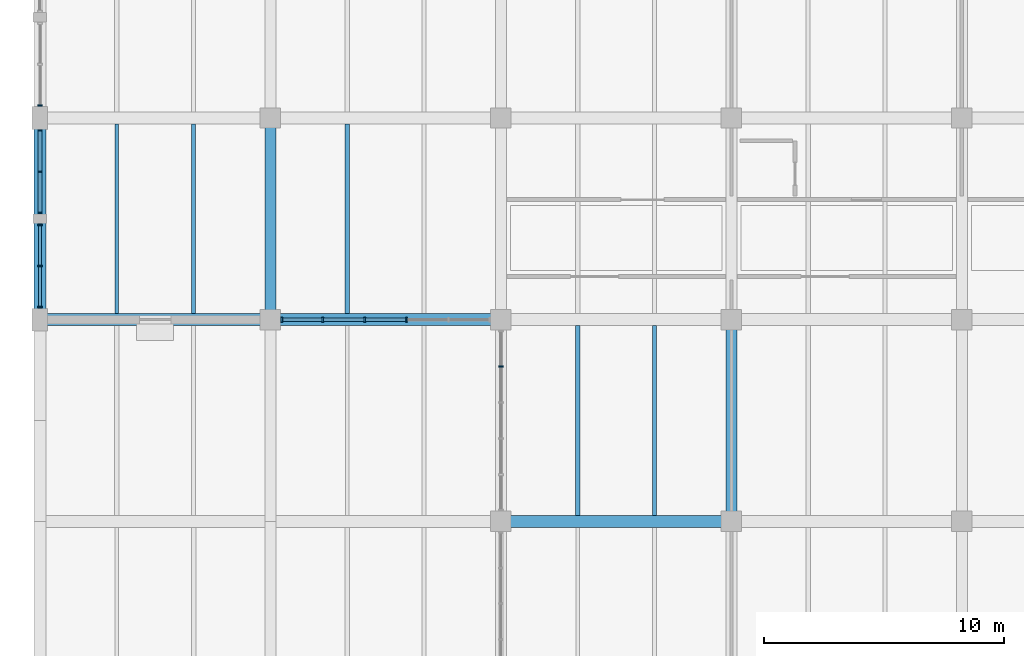
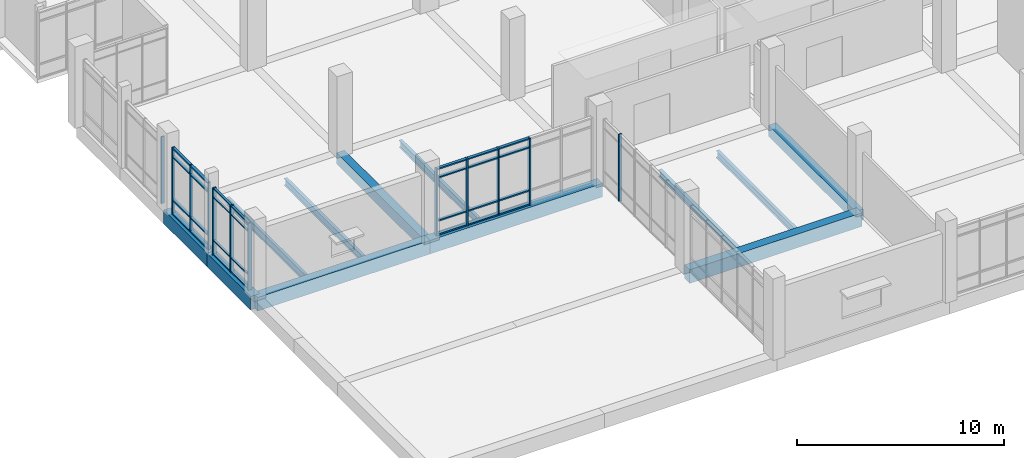
# One storey, part 9 of 152: 40 members, 12 beams, 5 elements without a shape of their own.
"""IFC4 building model written with IfcOpenShell, lengths in metres."""

from ifc_helpers import new_model, si_unit, direction, frame, origin, origin_2d, place, context, subcontext, project, spatial, rectangle, i_section, extrude, material, material_profile, profile_set, type_object, element, aggregate, save


model = new_model("IFC4")

# Units and contexts
model_context = context("Model", 3, precision=1e-05, world=origin(), true_north=direction((0.0, 1.0)))
body_context = subcontext(model_context, "Body", "Model", "MODEL_VIEW")
ifc_project = project(units=[si_unit("LENGTHUNIT", "METRE"), si_unit("AREAUNIT", "SQUARE_METRE"), si_unit("VOLUMEUNIT", "CUBIC_METRE"), si_unit("PLANEANGLEUNIT", "RADIAN"), si_unit("MASSUNIT", "GRAM", prefix="KILO")], contexts=[model_context])

# Site, building, storey
site_placement = place(None, origin())
site = spatial("IfcSite", under=ifc_project, at=site_placement, CompositionType="ELEMENT")
building_placement = place(site_placement, origin())
building = spatial("IfcBuilding", under=site, at=building_placement, Name="Oolite Switchyard Hospital", CompositionType="ELEMENT")
storey_placement = place(building_placement, frame((0.0, 0.0, 5.10009765625)))
storey = spatial("IfcBuildingStorey", under=building, at=storey_placement, Name="L01", CompositionType="ELEMENT", Elevation=5.10009765625)

# Beams
ifc_material_1 = material(Name="Concrete C40/50", Category="concrete")
ifc_material_profile_1 = material_profile(ifc_material_1, rectangle(XDim=0.449951171875, YDim=0.64990234375, at=origin_2d()), Name="RCB450X650")
ifc_profile_set_1 = profile_set([ifc_material_profile_1], Name="Concrete C40/50")
beam_type_1 = type_object("IfcBeamType", Name="BM-RC450X650", PredefinedType="BEAM", material=ifc_profile_set_1)
beam_1_placement = place(storey_placement, frame((9.60009765625, 16.800048828125, -0.3251953125), z_axis=(0.0, 1.0, 0.0), x_axis=(-1.0, 0.0, 0.0)))
element("IfcBeam", 1, at=beam_1_placement, inside=storey, type_object=beam_type_1, Name="L01 Y-Girder 304", PredefinedType="BEAM", context=body_context, shape_type="SweptSolid", body=[
    extrude(rectangle(XDim=0.449951171875, YDim=0.64990234375, at=origin_2d()), origin(), (0.0, 0.0, 1.0), 8.39990234375),
])
beam_2_placement = place(storey_placement, frame((28.800048828125, 8.39990234375, -0.3251953125), z_axis=(0.0, 1.0, 0.0), x_axis=(-1.0, 0.0, 0.0)))
element("IfcBeam", 2, at=beam_2_placement, inside=storey, type_object=beam_type_1, Name="L01 Y-Girder 335", PredefinedType="BEAM", context=body_context, shape_type="SweptSolid", body=[
    extrude(rectangle(XDim=0.449951171875, YDim=0.64990234375, at=origin_2d()), origin(), (0.0, 0.0, 1.0), 8.400146484375),
])
ifc_material_profile_2 = material_profile(ifc_material_1, rectangle(XDim=0.5, YDim=0.800048828125, at=origin_2d()), Name="RCB500X800")
ifc_profile_set_2 = profile_set([ifc_material_profile_2], Name="Concrete C40/50")
beam_type_2 = type_object("IfcBeamType", Name="BM-RC500X800", PredefinedType="BEAM", material=ifc_profile_set_2)
for number, where, z_axis, x_axis, name in (
    (3, (19.199951171875, 8.39990234375, -0.400146484375), (1.0, 0.0, 0.0), (0.0, 1.0, 0.0), "L01 X-Girder 10"),
    (4, (0.0, 16.800048828125, -0.400146484375), (1.0, 0.0, 0.0), (0.0, 1.0, 0.0), "L01 X-Girder 26"),
):
    element("IfcBeam", number, at=place(storey_placement, frame(where, z_axis=z_axis, x_axis=x_axis)), inside=storey, type_object=beam_type_2, Name=name, PredefinedType="BEAM", context=body_context, shape_type="SweptSolid", body=[
        extrude(rectangle(XDim=0.5, YDim=0.800048828125, at=origin_2d()), origin(), (0.0, 0.0, 1.0), 9.60009765625),
    ])
beam_3_placement = place(storey_placement, frame((9.60009765625, 16.800048828125, -0.400146484375), z_axis=(1.0, 0.0, 0.0), x_axis=(0.0, 1.0, 0.0)))
element("IfcBeam", 5, at=beam_3_placement, inside=storey, type_object=beam_type_2, Name="L01 X-Girder 27", PredefinedType="BEAM", context=body_context, shape_type="SweptSolid", body=[
    extrude(rectangle(XDim=0.5, YDim=0.800048828125, at=origin_2d()), origin(), (0.0, 0.0, 1.0), 9.599853515625),
])
for number, where, z_axis, x_axis, name in (
    (6, (0.0, 16.800048828125, -0.400146484375), (0.0, 1.0, 0.0), (-1.0, 0.0, 0.0), "L01 Y-Girder 288"),
    (7, (0.0, 21.0, -0.400146484375), (0.0, 1.0, 0.0), (-1.0, 0.0, 0.0), "L01 Y-Girder 289"),
):
    element("IfcBeam", number, at=place(storey_placement, frame(where, z_axis=z_axis, x_axis=x_axis)), inside=storey, type_object=beam_type_2, Name=name, PredefinedType="BEAM", context=body_context, shape_type="SweptSolid", body=[
        extrude(rectangle(XDim=0.5, YDim=0.800048828125, at=origin_2d()), origin(), (0.0, 0.0, 1.0), 4.199951171875),
    ])
ifc_material_2 = material(Name="Steel ASTM A992 Grade 50", Category="steel")
ifc_material_profile_3 = material_profile(ifc_material_2, i_section(OverallWidth=0.177978515625, OverallDepth=0.403076171875, WebThickness=0.008056640625, FlangeThickness=0.010986328125, at=origin_2d()), Name="W16X36")
ifc_profile_set_3 = profile_set([ifc_material_profile_3], Name="Steel ASTM A992 Grade 50")
beam_type_3 = type_object("IfcBeamType", Name="BM-W16X36", PredefinedType="JOIST", material=ifc_profile_set_3)
beam_4_placement = place(storey_placement, frame((25.60009765625, 8.64990234375, -0.47705078125), z_axis=(0.0, 1.0, 0.0), x_axis=(-1.0, 0.0, 0.0)))
element("IfcBeam", 8, at=beam_4_placement, inside=storey, type_object=beam_type_3, Name="L01 Secondary Steel Joist 625", PredefinedType="JOIST", context=body_context, shape_type="SweptSolid", body=[
    extrude(i_section(OverallWidth=0.177978515625, OverallDepth=0.403076171875, WebThickness=0.008056640625, FlangeThickness=0.010986328125, at=origin_2d()), origin(), (0.0, 0.0, 1.0), 7.900146484375),
])
ifc_material_profile_4 = material_profile(ifc_material_2, i_section(OverallWidth=0.179931640625, OverallDepth=0.4130859375, WebThickness=0.010009765625, FlangeThickness=0.01611328125, at=origin_2d()), Name="W16X50")
ifc_profile_set_4 = profile_set([ifc_material_profile_4], Name="Steel ASTM A992 Grade 50")
beam_type_4 = type_object("IfcBeamType", Name="BM-W16X50", PredefinedType="JOIST", material=ifc_profile_set_4)
for number, where, z_axis, x_axis, name in (
    (9, (6.39990234375, 17.050048828125, -0.482177734375), (0.0, 1.0, 0.0), (-1.0, 0.0, 0.0), "L01 Secondary Steel Joist 567"),
    (10, (12.800048828125, 17.050048828125, -0.482177734375), (0.0, 1.0, 0.0), (-1.0, 0.0, 0.0), "L01 Secondary Steel Joist 594"),
):
    element("IfcBeam", number, at=place(storey_placement, frame(where, z_axis=z_axis, x_axis=x_axis)), inside=storey, type_object=beam_type_4, Name=name, PredefinedType="JOIST", context=body_context, shape_type="SweptSolid", body=[
        extrude(i_section(OverallWidth=0.179931640625, OverallDepth=0.4130859375, WebThickness=0.010009765625, FlangeThickness=0.01611328125, at=origin_2d()), origin(), (0.0, 0.0, 1.0), 7.89990234375),
    ])
beam_5_placement = place(storey_placement, frame((22.39990234375, 8.64990234375, -0.482177734375), z_axis=(0.0, 1.0, 0.0), x_axis=(-1.0, 0.0, 0.0)))
element("IfcBeam", 11, at=beam_5_placement, inside=storey, type_object=beam_type_4, Name="L01 Secondary Steel Joist 624", PredefinedType="JOIST", context=body_context, shape_type="SweptSolid", body=[
    extrude(i_section(OverallWidth=0.179931640625, OverallDepth=0.4130859375, WebThickness=0.010009765625, FlangeThickness=0.01611328125, at=origin_2d()), origin(), (0.0, 0.0, 1.0), 7.900146484375),
])
ifc_material_profile_5 = material_profile(ifc_material_2, i_section(OverallWidth=0.153076171875, OverallDepth=0.455078125, WebThickness=0.008056640625, FlangeThickness=0.012939453125, at=origin_2d()), Name="W18X40")
ifc_profile_set_5 = profile_set([ifc_material_profile_5], Name="Steel ASTM A992 Grade 50")
beam_type_5 = type_object("IfcBeamType", Name="BM-W18X40", PredefinedType="JOIST", material=ifc_profile_set_5)
beam_6_placement = place(storey_placement, frame((3.199951171875, 17.050048828125, -0.503173828125), z_axis=(0.0, 1.0, 0.0), x_axis=(-1.0, 0.0, 0.0)))
element("IfcBeam", 12, at=beam_6_placement, inside=storey, type_object=beam_type_5, Name="L01 Secondary Steel Joist 566", PredefinedType="JOIST", context=body_context, shape_type="SweptSolid", body=[
    extrude(i_section(OverallWidth=0.153076171875, OverallDepth=0.455078125, WebThickness=0.008056640625, FlangeThickness=0.012939453125, at=origin_2d()), origin(), (0.0, 0.0, 1.0), 7.89990234375),
])

# Curtain wall, members
ifc_material_3 = material(Name="Thermally broken aluminum frame with laminated impact glazing", Category="aluminium")
curtain_wall_type_1 = type_object("IfcCurtainWallType", Name="CW-UNIT-84X48", PredefinedType="USERDEFINED", material=ifc_material_3)
curtain_wall_1_placement = place(storey_placement, origin())
curtain_wall_1 = element("IfcCurtainWall", 13, at=curtain_wall_1_placement, inside=storey, type_object=curtain_wall_type_1, Name="L01 Unitised Curtain Wall 161", ObjectType="UNITISED", PredefinedType="USERDEFINED")
ifc_material_4 = material(Name="Aluminium 6063-T6", Category="aluminium")
ifc_material_profile_6 = material_profile(ifc_material_4, rectangle(XDim=0.159912109375, YDim=0.06005859375, at=origin_2d()), Name="CWM60X160")
ifc_profile_set_6 = profile_set([ifc_material_profile_6], Name="Aluminium 6063-T6")
member_type_1 = type_object("IfcMemberType", Name="CW-MUL-180", PredefinedType="MULLION", material=ifc_profile_set_6)
member_1_placement = place(storey_placement, frame((0.0, 21.2451171875, 0.0), z_axis=(0.0, 0.0, 1.0), x_axis=(-1.0, 0.0, 0.0)))
member_1 = element("IfcMember", 14, at=member_1_placement, type_object=member_type_1, Name="CW-07 mullion 1", PredefinedType="MULLION", context=body_context, shape_type="SweptSolid", body=[
    extrude(rectangle(XDim=0.159912109375, YDim=0.06005859375, at=origin_2d()), origin(), (0.0, 0.0, 1.0), 3.93994140625),
])
member_2_placement = place(storey_placement, frame((0.0, 22.96240234375, 0.0), z_axis=(0.0, 0.0, 1.0), x_axis=(-1.0, 0.0, 0.0)))
member_2 = element("IfcMember", 15, at=member_2_placement, type_object=member_type_1, Name="CW-07 mullion 2", PredefinedType="MULLION", context=body_context, shape_type="SweptSolid", body=[
    extrude(rectangle(XDim=0.159912109375, YDim=0.06005859375, at=origin_2d()), origin(), (0.0, 0.0, 1.0), 3.93994140625),
])
member_3_placement = place(storey_placement, frame((0.0, 24.679931640625, 0.0), z_axis=(0.0, 0.0, 1.0), x_axis=(-1.0, 0.0, 0.0)))
member_3 = element("IfcMember", 16, at=member_3_placement, type_object=member_type_1, Name="CW-07 mullion 3", PredefinedType="MULLION", context=body_context, shape_type="SweptSolid", body=[
    extrude(rectangle(XDim=0.159912109375, YDim=0.06005859375, at=origin_2d()), origin(), (0.0, 0.0, 1.0), 3.93994140625),
])

# Curtain wall, member
curtain_wall_2_placement = place(storey_placement, origin())
curtain_wall_2 = element("IfcCurtainWall", 17, at=curtain_wall_2_placement, inside=storey, type_object=curtain_wall_type_1, Name="L01 Unitised Curtain Wall 162", ObjectType="UNITISED", PredefinedType="USERDEFINED")
ifc_material_profile_7 = material_profile(ifc_material_4, rectangle(XDim=0.179931640625, YDim=0.070068359375, at=origin_2d()), Name="CWM70X180")
ifc_profile_set_7 = profile_set([ifc_material_profile_7], Name="Aluminium 6063-T6")
member_type_2 = type_object("IfcMemberType", Name="CW-MUL-220", PredefinedType="MULLION", material=ifc_profile_set_7)
member_4_placement = place(storey_placement, frame((0.0, 25.72509765625, 0.0), z_axis=(0.0, 0.0, 1.0), x_axis=(-1.0, 0.0, 0.0)))
member_4 = element("IfcMember", 18, at=member_4_placement, type_object=member_type_2, Name="CW-07 mullion 1", PredefinedType="MULLION", context=body_context, shape_type="SweptSolid", body=[
    extrude(rectangle(XDim=0.179931640625, YDim=0.070068359375, at=origin_2d()), origin(), (0.0, 0.0, 1.0), 3.93994140625),
])
aggregate(curtain_wall_2, [member_4])

curtain_wall_3_placement = place(storey_placement, origin())
curtain_wall_3 = element("IfcCurtainWall", 19, at=curtain_wall_3_placement, inside=storey, type_object=curtain_wall_type_1, Name="L01 Unitised Curtain Wall 168", ObjectType="UNITISED", PredefinedType="USERDEFINED")
member_5_placement = place(storey_placement, frame((19.199951171875, 14.85595703125, 0.0), z_axis=(0.0, 0.0, 1.0), x_axis=(-1.0, 0.0, 0.0)))
member_5 = element("IfcMember", 20, at=member_5_placement, type_object=member_type_2, Name="CW-07 mullion 5", PredefinedType="MULLION", context=body_context, shape_type="SweptSolid", body=[
    extrude(rectangle(XDim=0.179931640625, YDim=0.070068359375, at=origin_2d()), origin(), (0.0, 0.0, 1.0), 3.93994140625),
])
aggregate(curtain_wall_3, [member_5])

# Curtain wall, members
curtain_wall_type_2 = type_object("IfcCurtainWallType", Name="CW-UNIT-96X48", PredefinedType="USERDEFINED", material=ifc_material_3)
curtain_wall_4_placement = place(storey_placement, origin())
curtain_wall_4 = element("IfcCurtainWall", 21, at=curtain_wall_4_placement, inside=storey, type_object=curtain_wall_type_2, Name="L01 Unitised Curtain Wall 103", ObjectType="UNITISED", PredefinedType="USERDEFINED")
ifc_material_profile_8 = material_profile(ifc_material_4, rectangle(XDim=0.199951171875, YDim=0.074951171875, at=origin_2d()), Name="CWM75X200")
ifc_profile_set_8 = profile_set([ifc_material_profile_8], Name="Aluminium 6063-T6")
member_type_3 = type_object("IfcMemberType", Name="CW-MUL-260", PredefinedType="MULLION", material=ifc_profile_set_8)
member_6_placement = place(storey_placement, frame((15.27197265625, 16.800048828125, 0.0), z_axis=(0.0, 0.0, 1.0), x_axis=(0.0, -1.0, 0.0)))
member_6 = element("IfcMember", 22, at=member_6_placement, type_object=member_type_3, Name="CW-02 mullion 3", PredefinedType="MULLION", context=body_context, shape_type="SweptSolid", body=[
    extrude(rectangle(XDim=0.199951171875, YDim=0.074951171875, at=origin_2d()), origin(), (0.0, 0.0, 1.0), 3.93994140625),
])
member_7_placement = place(storey_placement, frame((13.528076171875, 16.800048828125, 0.0), z_axis=(0.0, 0.0, 1.0), x_axis=(0.0, -1.0, 0.0)))
member_7 = element("IfcMember", 23, at=member_7_placement, type_object=member_type_3, Name="CW-02 mullion 4", PredefinedType="MULLION", context=body_context, shape_type="SweptSolid", body=[
    extrude(rectangle(XDim=0.199951171875, YDim=0.074951171875, at=origin_2d()), origin(), (0.0, 0.0, 1.0), 3.93994140625),
])
member_8_placement = place(storey_placement, frame((11.783935546875, 16.800048828125, 0.0), z_axis=(0.0, 0.0, 1.0), x_axis=(0.0, -1.0, 0.0)))
member_8 = element("IfcMember", 24, at=member_8_placement, type_object=member_type_3, Name="CW-02 mullion 5", PredefinedType="MULLION", context=body_context, shape_type="SweptSolid", body=[
    extrude(rectangle(XDim=0.199951171875, YDim=0.074951171875, at=origin_2d()), origin(), (0.0, 0.0, 1.0), 3.93994140625),
])
member_9_placement = place(storey_placement, frame((10.077392578125, 16.800048828125, 0.0), z_axis=(0.0, 0.0, 1.0), x_axis=(0.0, -1.0, 0.0)))
member_9 = element("IfcMember", 25, at=member_9_placement, type_object=member_type_3, Name="CW-02 mullion 6", PredefinedType="MULLION", context=body_context, shape_type="SweptSolid", body=[
    extrude(rectangle(XDim=0.199951171875, YDim=0.074951171875, at=origin_2d()), origin(), (0.0, 0.0, 1.0), 3.93994140625),
])

curtain_wall_5_placement = place(storey_placement, origin())
curtain_wall_5 = element("IfcCurtainWall", 26, at=curtain_wall_5_placement, inside=storey, type_object=curtain_wall_type_1, Name="L01 Unitised Curtain Wall 160", ObjectType="UNITISED", PredefinedType="USERDEFINED")
member_10_placement = place(storey_placement, frame((0.0, 17.327392578125, 0.0), z_axis=(0.0, 0.0, 1.0), x_axis=(-1.0, 0.0, 0.0)))
member_10 = element("IfcMember", 27, at=member_10_placement, type_object=member_type_3, Name="CW-07 mullion 1", PredefinedType="MULLION", context=body_context, shape_type="SweptSolid", body=[
    extrude(rectangle(XDim=0.199951171875, YDim=0.074951171875, at=origin_2d()), origin(), (0.0, 0.0, 1.0), 3.93994140625),
])
member_11_placement = place(storey_placement, frame((0.0, 19.03759765625, 0.0), z_axis=(0.0, 0.0, 1.0), x_axis=(-1.0, 0.0, 0.0)))
member_11 = element("IfcMember", 28, at=member_11_placement, type_object=member_type_3, Name="CW-07 mullion 2", PredefinedType="MULLION", context=body_context, shape_type="SweptSolid", body=[
    extrude(rectangle(XDim=0.199951171875, YDim=0.074951171875, at=origin_2d()), origin(), (0.0, 0.0, 1.0), 3.93994140625),
])
member_12_placement = place(storey_placement, frame((0.0, 20.74755859375, 0.0), z_axis=(0.0, 0.0, 1.0), x_axis=(-1.0, 0.0, 0.0)))
member_12 = element("IfcMember", 29, at=member_12_placement, type_object=member_type_3, Name="CW-07 mullion 3", PredefinedType="MULLION", context=body_context, shape_type="SweptSolid", body=[
    extrude(rectangle(XDim=0.199951171875, YDim=0.074951171875, at=origin_2d()), origin(), (0.0, 0.0, 1.0), 3.93994140625),
])
ifc_material_profile_9 = material_profile(ifc_material_4, rectangle(XDim=0.1201171875, YDim=0.06005859375, at=origin_2d()), Name="CWT60X120")
ifc_profile_set_9 = profile_set([ifc_material_profile_9], Name="Aluminium 6063-T6")
member_type_4 = type_object("IfcMemberType", Name="CW-TRN-150", PredefinedType="USERDEFINED", material=ifc_profile_set_9)
member_13_placement = place(storey_placement, frame((0.0, 17.364990234375, 0.02978515625), z_axis=(0.0, 1.0, 0.0), x_axis=(-1.0, 0.0, 0.0)))
member_13 = element("IfcMember", 30, at=member_13_placement, type_object=member_type_4, Name="CW-07 transom 1.1", ObjectType="TRANSOM", PredefinedType="USERDEFINED", context=body_context, shape_type="SweptSolid", body=[
    extrude(rectangle(XDim=0.1201171875, YDim=0.06005859375, at=origin_2d()), origin(), (0.0, 0.0, 1.0), 1.635009765625),
])
member_14_placement = place(storey_placement, frame((0.0, 17.364990234375, 0.849853515625), z_axis=(0.0, 1.0, 0.0), x_axis=(-1.0, 0.0, 0.0)))
member_14 = element("IfcMember", 31, at=member_14_placement, type_object=member_type_4, Name="CW-07 transom 1.2", ObjectType="TRANSOM", PredefinedType="USERDEFINED", context=body_context, shape_type="SweptSolid", body=[
    extrude(rectangle(XDim=0.1201171875, YDim=0.06005859375, at=origin_2d()), origin(), (0.0, 0.0, 1.0), 1.635009765625),
])
member_15_placement = place(storey_placement, frame((0.0, 17.364990234375, 3.389892578125), z_axis=(0.0, 1.0, 0.0), x_axis=(-1.0, 0.0, 0.0)))
member_15 = element("IfcMember", 32, at=member_15_placement, type_object=member_type_4, Name="CW-07 transom 1.3", ObjectType="TRANSOM", PredefinedType="USERDEFINED", context=body_context, shape_type="SweptSolid", body=[
    extrude(rectangle(XDim=0.1201171875, YDim=0.06005859375, at=origin_2d()), origin(), (0.0, 0.0, 1.0), 1.635009765625),
])
member_16_placement = place(storey_placement, frame((0.0, 17.364990234375, 3.909912109375), z_axis=(0.0, 1.0, 0.0), x_axis=(-1.0, 0.0, 0.0)))
member_16 = element("IfcMember", 33, at=member_16_placement, type_object=member_type_4, Name="CW-07 transom 1.4", ObjectType="TRANSOM", PredefinedType="USERDEFINED", context=body_context, shape_type="SweptSolid", body=[
    extrude(rectangle(XDim=0.1201171875, YDim=0.06005859375, at=origin_2d()), origin(), (0.0, 0.0, 1.0), 1.635009765625),
])
member_17_placement = place(storey_placement, frame((0.0, 19.074951171875, 0.02978515625), z_axis=(0.0, 1.0, 0.0), x_axis=(-1.0, 0.0, 0.0)))
member_17 = element("IfcMember", 34, at=member_17_placement, type_object=member_type_4, Name="CW-07 transom 2.1", ObjectType="TRANSOM", PredefinedType="USERDEFINED", context=body_context, shape_type="SweptSolid", body=[
    extrude(rectangle(XDim=0.1201171875, YDim=0.06005859375, at=origin_2d()), origin(), (0.0, 0.0, 1.0), 1.635009765625),
])
member_18_placement = place(storey_placement, frame((0.0, 19.074951171875, 0.849853515625), z_axis=(0.0, 1.0, 0.0), x_axis=(-1.0, 0.0, 0.0)))
member_18 = element("IfcMember", 35, at=member_18_placement, type_object=member_type_4, Name="CW-07 transom 2.2", ObjectType="TRANSOM", PredefinedType="USERDEFINED", context=body_context, shape_type="SweptSolid", body=[
    extrude(rectangle(XDim=0.1201171875, YDim=0.06005859375, at=origin_2d()), origin(), (0.0, 0.0, 1.0), 1.635009765625),
])
member_19_placement = place(storey_placement, frame((0.0, 19.074951171875, 3.389892578125), z_axis=(0.0, 1.0, 0.0), x_axis=(-1.0, 0.0, 0.0)))
member_19 = element("IfcMember", 36, at=member_19_placement, type_object=member_type_4, Name="CW-07 transom 2.3", ObjectType="TRANSOM", PredefinedType="USERDEFINED", context=body_context, shape_type="SweptSolid", body=[
    extrude(rectangle(XDim=0.1201171875, YDim=0.06005859375, at=origin_2d()), origin(), (0.0, 0.0, 1.0), 1.635009765625),
])
member_20_placement = place(storey_placement, frame((0.0, 19.074951171875, 3.909912109375), z_axis=(0.0, 1.0, 0.0), x_axis=(-1.0, 0.0, 0.0)))
member_20 = element("IfcMember", 37, at=member_20_placement, type_object=member_type_4, Name="CW-07 transom 2.4", ObjectType="TRANSOM", PredefinedType="USERDEFINED", context=body_context, shape_type="SweptSolid", body=[
    extrude(rectangle(XDim=0.1201171875, YDim=0.06005859375, at=origin_2d()), origin(), (0.0, 0.0, 1.0), 1.635009765625),
])
aggregate(curtain_wall_5, [member_10, member_11, member_12, member_13, member_14, member_15, member_16, member_17, member_18, member_19, member_20])

# Member
ifc_material_profile_10 = material_profile(ifc_material_4, rectangle(XDim=0.159912109375, YDim=0.074951171875, at=origin_2d()), Name="CWT75X160")
ifc_profile_set_10 = profile_set([ifc_material_profile_10], Name="Aluminium 6063-T6")
member_type_5 = type_object("IfcMemberType", Name="CW-TRN-180", PredefinedType="USERDEFINED", material=ifc_profile_set_10)
member_21_placement = place(storey_placement, frame((15.234619140625, 16.800048828125, 0.037353515625), z_axis=(-1.0, 0.0, 0.0), x_axis=(0.0, -1.0, 0.0)))
member_21 = element("IfcMember", 38, at=member_21_placement, type_object=member_type_5, Name="CW-02 transom 3.1", ObjectType="TRANSOM", PredefinedType="USERDEFINED", context=body_context, shape_type="SweptSolid", body=[
    extrude(rectangle(XDim=0.159912109375, YDim=0.074951171875, at=origin_2d()), origin(), (0.0, 0.0, 1.0), 1.669189453125),
])

member_22_placement = place(storey_placement, frame((15.234619140625, 16.800048828125, 0.849853515625), z_axis=(-1.0, 0.0, 0.0), x_axis=(0.0, -1.0, 0.0)))
member_22 = element("IfcMember", 39, at=member_22_placement, type_object=member_type_5, Name="CW-02 transom 3.2", ObjectType="TRANSOM", PredefinedType="USERDEFINED", context=body_context, shape_type="SweptSolid", body=[
    extrude(rectangle(XDim=0.159912109375, YDim=0.074951171875, at=origin_2d()), origin(), (0.0, 0.0, 1.0), 1.669189453125),
])

member_23_placement = place(storey_placement, frame((15.234619140625, 16.800048828125, 3.389892578125), z_axis=(-1.0, 0.0, 0.0), x_axis=(0.0, -1.0, 0.0)))
member_23 = element("IfcMember", 40, at=member_23_placement, type_object=member_type_5, Name="CW-02 transom 3.3", ObjectType="TRANSOM", PredefinedType="USERDEFINED", context=body_context, shape_type="SweptSolid", body=[
    extrude(rectangle(XDim=0.159912109375, YDim=0.074951171875, at=origin_2d()), origin(), (0.0, 0.0, 1.0), 1.669189453125),
])

member_24_placement = place(storey_placement, frame((15.234619140625, 16.800048828125, 3.90234375), z_axis=(-1.0, 0.0, 0.0), x_axis=(0.0, -1.0, 0.0)))
member_24 = element("IfcMember", 41, at=member_24_placement, type_object=member_type_5, Name="CW-02 transom 3.4", ObjectType="TRANSOM", PredefinedType="USERDEFINED", context=body_context, shape_type="SweptSolid", body=[
    extrude(rectangle(XDim=0.159912109375, YDim=0.074951171875, at=origin_2d()), origin(), (0.0, 0.0, 1.0), 1.669189453125),
])

member_25_placement = place(storey_placement, frame((13.490478515625, 16.800048828125, 0.037353515625), z_axis=(-1.0, 0.0, 0.0), x_axis=(0.0, -1.0, 0.0)))
member_25 = element("IfcMember", 42, at=member_25_placement, type_object=member_type_5, Name="CW-02 transom 4.1", ObjectType="TRANSOM", PredefinedType="USERDEFINED", context=body_context, shape_type="SweptSolid", body=[
    extrude(rectangle(XDim=0.159912109375, YDim=0.074951171875, at=origin_2d()), origin(), (0.0, 0.0, 1.0), 1.6689453125),
])

member_26_placement = place(storey_placement, frame((13.490478515625, 16.800048828125, 0.849853515625), z_axis=(-1.0, 0.0, 0.0), x_axis=(0.0, -1.0, 0.0)))
member_26 = element("IfcMember", 43, at=member_26_placement, type_object=member_type_5, Name="CW-02 transom 4.2", ObjectType="TRANSOM", PredefinedType="USERDEFINED", context=body_context, shape_type="SweptSolid", body=[
    extrude(rectangle(XDim=0.159912109375, YDim=0.074951171875, at=origin_2d()), origin(), (0.0, 0.0, 1.0), 1.6689453125),
])

member_27_placement = place(storey_placement, frame((13.490478515625, 16.800048828125, 3.389892578125), z_axis=(-1.0, 0.0, 0.0), x_axis=(0.0, -1.0, 0.0)))
member_27 = element("IfcMember", 44, at=member_27_placement, type_object=member_type_5, Name="CW-02 transom 4.3", ObjectType="TRANSOM", PredefinedType="USERDEFINED", context=body_context, shape_type="SweptSolid", body=[
    extrude(rectangle(XDim=0.159912109375, YDim=0.074951171875, at=origin_2d()), origin(), (0.0, 0.0, 1.0), 1.6689453125),
])

member_28_placement = place(storey_placement, frame((13.490478515625, 16.800048828125, 3.90234375), z_axis=(-1.0, 0.0, 0.0), x_axis=(0.0, -1.0, 0.0)))
member_28 = element("IfcMember", 45, at=member_28_placement, type_object=member_type_5, Name="CW-02 transom 4.4", ObjectType="TRANSOM", PredefinedType="USERDEFINED", context=body_context, shape_type="SweptSolid", body=[
    extrude(rectangle(XDim=0.159912109375, YDim=0.074951171875, at=origin_2d()), origin(), (0.0, 0.0, 1.0), 1.6689453125),
])

member_29_placement = place(storey_placement, frame((11.74658203125, 16.800048828125, 0.037353515625), z_axis=(-1.0, 0.0, 0.0), x_axis=(0.0, -1.0, 0.0)))
member_29 = element("IfcMember", 46, at=member_29_placement, type_object=member_type_5, Name="CW-02 transom 5.1", ObjectType="TRANSOM", PredefinedType="USERDEFINED", context=body_context, shape_type="SweptSolid", body=[
    extrude(rectangle(XDim=0.159912109375, YDim=0.074951171875, at=origin_2d()), origin(), (0.0, 0.0, 1.0), 1.631591796875),
])

member_30_placement = place(storey_placement, frame((11.74658203125, 16.800048828125, 0.849853515625), z_axis=(-1.0, 0.0, 0.0), x_axis=(0.0, -1.0, 0.0)))
member_30 = element("IfcMember", 47, at=member_30_placement, type_object=member_type_5, Name="CW-02 transom 5.2", ObjectType="TRANSOM", PredefinedType="USERDEFINED", context=body_context, shape_type="SweptSolid", body=[
    extrude(rectangle(XDim=0.159912109375, YDim=0.074951171875, at=origin_2d()), origin(), (0.0, 0.0, 1.0), 1.631591796875),
])

member_31_placement = place(storey_placement, frame((11.74658203125, 16.800048828125, 3.389892578125), z_axis=(-1.0, 0.0, 0.0), x_axis=(0.0, -1.0, 0.0)))
member_31 = element("IfcMember", 48, at=member_31_placement, type_object=member_type_5, Name="CW-02 transom 5.3", ObjectType="TRANSOM", PredefinedType="USERDEFINED", context=body_context, shape_type="SweptSolid", body=[
    extrude(rectangle(XDim=0.159912109375, YDim=0.074951171875, at=origin_2d()), origin(), (0.0, 0.0, 1.0), 1.631591796875),
])

member_32_placement = place(storey_placement, frame((11.74658203125, 16.800048828125, 3.90234375), z_axis=(-1.0, 0.0, 0.0), x_axis=(0.0, -1.0, 0.0)))
member_32 = element("IfcMember", 49, at=member_32_placement, type_object=member_type_5, Name="CW-02 transom 5.4", ObjectType="TRANSOM", PredefinedType="USERDEFINED", context=body_context, shape_type="SweptSolid", body=[
    extrude(rectangle(XDim=0.159912109375, YDim=0.074951171875, at=origin_2d()), origin(), (0.0, 0.0, 1.0), 1.631591796875),
])

aggregate(curtain_wall_4, [member_6, member_7, member_8, member_9, member_21, member_22, member_23, member_24, member_25, member_26, member_27, member_28, member_29, member_30, member_31, member_32])

member_33_placement = place(storey_placement, frame((0.0, 21.27490234375, 0.037353515625), z_axis=(0.0, 1.0, 0.0), x_axis=(-1.0, 0.0, 0.0)))
member_33 = element("IfcMember", 50, at=member_33_placement, type_object=member_type_5, Name="CW-07 transom 1.1", ObjectType="TRANSOM", PredefinedType="USERDEFINED", context=body_context, shape_type="SweptSolid", body=[
    extrude(rectangle(XDim=0.159912109375, YDim=0.074951171875, at=origin_2d()), origin(), (0.0, 0.0, 1.0), 1.65771484375),
])

member_34_placement = place(storey_placement, frame((0.0, 21.27490234375, 0.849853515625), z_axis=(0.0, 1.0, 0.0), x_axis=(-1.0, 0.0, 0.0)))
member_34 = element("IfcMember", 51, at=member_34_placement, type_object=member_type_5, Name="CW-07 transom 1.2", ObjectType="TRANSOM", PredefinedType="USERDEFINED", context=body_context, shape_type="SweptSolid", body=[
    extrude(rectangle(XDim=0.159912109375, YDim=0.074951171875, at=origin_2d()), origin(), (0.0, 0.0, 1.0), 1.65771484375),
])

member_35_placement = place(storey_placement, frame((0.0, 21.27490234375, 3.389892578125), z_axis=(0.0, 1.0, 0.0), x_axis=(-1.0, 0.0, 0.0)))
member_35 = element("IfcMember", 52, at=member_35_placement, type_object=member_type_5, Name="CW-07 transom 1.3", ObjectType="TRANSOM", PredefinedType="USERDEFINED", context=body_context, shape_type="SweptSolid", body=[
    extrude(rectangle(XDim=0.159912109375, YDim=0.074951171875, at=origin_2d()), origin(), (0.0, 0.0, 1.0), 1.65771484375),
])

member_36_placement = place(storey_placement, frame((0.0, 21.27490234375, 3.90234375), z_axis=(0.0, 1.0, 0.0), x_axis=(-1.0, 0.0, 0.0)))
member_36 = element("IfcMember", 53, at=member_36_placement, type_object=member_type_5, Name="CW-07 transom 1.4", ObjectType="TRANSOM", PredefinedType="USERDEFINED", context=body_context, shape_type="SweptSolid", body=[
    extrude(rectangle(XDim=0.159912109375, YDim=0.074951171875, at=origin_2d()), origin(), (0.0, 0.0, 1.0), 1.65771484375),
])

member_37_placement = place(storey_placement, frame((0.0, 22.992431640625, 0.037353515625), z_axis=(0.0, 1.0, 0.0), x_axis=(-1.0, 0.0, 0.0)))
member_37 = element("IfcMember", 54, at=member_37_placement, type_object=member_type_5, Name="CW-07 transom 2.1", ObjectType="TRANSOM", PredefinedType="USERDEFINED", context=body_context, shape_type="SweptSolid", body=[
    extrude(rectangle(XDim=0.159912109375, YDim=0.074951171875, at=origin_2d()), origin(), (0.0, 0.0, 1.0), 1.657470703125),
])

member_38_placement = place(storey_placement, frame((0.0, 22.992431640625, 0.849853515625), z_axis=(0.0, 1.0, 0.0), x_axis=(-1.0, 0.0, 0.0)))
member_38 = element("IfcMember", 55, at=member_38_placement, type_object=member_type_5, Name="CW-07 transom 2.2", ObjectType="TRANSOM", PredefinedType="USERDEFINED", context=body_context, shape_type="SweptSolid", body=[
    extrude(rectangle(XDim=0.159912109375, YDim=0.074951171875, at=origin_2d()), origin(), (0.0, 0.0, 1.0), 1.657470703125),
])

member_39_placement = place(storey_placement, frame((0.0, 22.992431640625, 3.389892578125), z_axis=(0.0, 1.0, 0.0), x_axis=(-1.0, 0.0, 0.0)))
member_39 = element("IfcMember", 56, at=member_39_placement, type_object=member_type_5, Name="CW-07 transom 2.3", ObjectType="TRANSOM", PredefinedType="USERDEFINED", context=body_context, shape_type="SweptSolid", body=[
    extrude(rectangle(XDim=0.159912109375, YDim=0.074951171875, at=origin_2d()), origin(), (0.0, 0.0, 1.0), 1.657470703125),
])

member_40_placement = place(storey_placement, frame((0.0, 22.992431640625, 3.90234375), z_axis=(0.0, 1.0, 0.0), x_axis=(-1.0, 0.0, 0.0)))
member_40 = element("IfcMember", 57, at=member_40_placement, type_object=member_type_5, Name="CW-07 transom 2.4", ObjectType="TRANSOM", PredefinedType="USERDEFINED", context=body_context, shape_type="SweptSolid", body=[
    extrude(rectangle(XDim=0.159912109375, YDim=0.074951171875, at=origin_2d()), origin(), (0.0, 0.0, 1.0), 1.657470703125),
])

aggregate(curtain_wall_1, [member_1, member_2, member_3, member_33, member_34, member_35, member_36, member_37, member_38, member_39, member_40])

save(model, "model.ifc")
